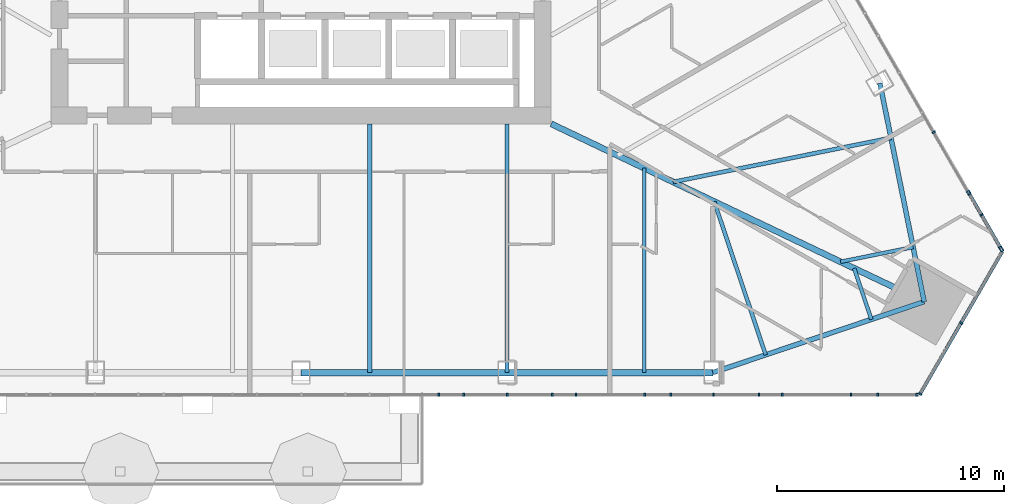
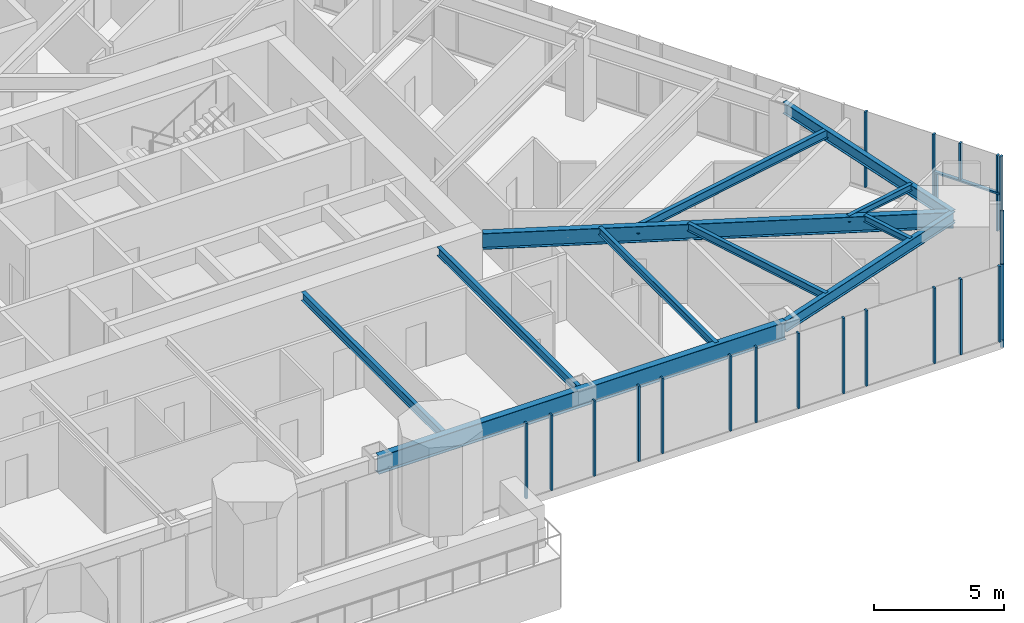
# One storey, part 6 of 32: 24 members, 11 beams, 3 elements without a shape of their own.
"""IFC4 building model written with IfcOpenShell, lengths in metres."""

from ifc_helpers import new_model, si_unit, direction, frame, origin, origin_2d, place, context, subcontext, project, spatial, rectangle, i_section, extrude, material, layer, layer_set, material_profile, profile_set, type_object, element, aggregate, save


model = new_model("IFC4")

# Units and contexts
model_context = context("Model", 3, precision=1e-05, world=origin(), true_north=direction((0.0, 1.0)))
body_context = subcontext(model_context, "Body", "Model", "MODEL_VIEW")
ifc_project = project(units=[si_unit("LENGTHUNIT", "METRE"), si_unit("AREAUNIT", "SQUARE_METRE"), si_unit("VOLUMEUNIT", "CUBIC_METRE"), si_unit("PLANEANGLEUNIT", "RADIAN"), si_unit("MASSUNIT", "GRAM", prefix="KILO")], contexts=[model_context])

# Site, building, storey
site_placement = place(None, origin())
site = spatial("IfcSite", under=ifc_project, at=site_placement, CompositionType="ELEMENT")
building_placement = place(site_placement, origin())
building = spatial("IfcBuilding", under=site, at=building_placement, Name="Firuza Gate Tower and Library", CompositionType="ELEMENT")
storey_placement = place(building_placement, frame((0.0, 0.0, 163.60009765625)))
storey = spatial("IfcBuildingStorey", under=building, at=storey_placement, Name="L37", CompositionType="ELEMENT", Elevation=163.60009765625)

# Curtain wall, members
ifc_material_1 = material(Name="Aluminium 6063-T6", Category="aluminium")
ifc_layer_1 = layer(ifc_material_1, 0.14990234375)
ifc_layer_set_1 = layer_set([ifc_layer_1], Name="Unitised curtain wall, hotel")
curtain_wall_type_1 = type_object("IfcCurtainWallType", Name="Unitised curtain wall, hotel", PredefinedType="NOTDEFINED", material=ifc_layer_set_1)
placement = place(storey_placement, origin())
curtain_wall_1 = element("IfcCurtainWall", 1, at=placement, inside=storey, type_object=curtain_wall_type_1, Name="CW2 L37 S face", PredefinedType="NOTDEFINED")
ifc_material_2 = material(Name="Aluminium 6063-T6", Category="aluminium")
ifc_material_profile_1 = material_profile(ifc_material_2, rectangle(XDim=0.14990234375, YDim=0.080078125, at=origin_2d()))
ifc_profile_set_1 = profile_set([ifc_material_profile_1], Name="Aluminium 6063-T6")
member_type_1 = type_object("IfcMemberType", Name="Curtain wall mullion 80x150", PredefinedType="MULLION", material=ifc_profile_set_1)
member_1_placement = place(storey_placement, frame((81.045654296875, 55.086181640625, 0.14990234375), z_axis=(0.0, 0.0, 1.0), x_axis=(0.0, 1.0, 0.0)))
member_1 = element("IfcMember", 2, at=member_1_placement, type_object=member_type_1, Name="Mullion", PredefinedType="MULLION", context=body_context, shape_type="SweptSolid", body=[
    extrude(rectangle(XDim=0.14990234375, YDim=0.080078125, at=origin_2d()), origin(), (0.0, 0.0, 1.0), 3.550048828125),
])
member_2_placement = place(storey_placement, frame((84.068359375, 55.086181640625, 0.14990234375), z_axis=(0.0, 0.0, 1.0), x_axis=(0.0, 1.0, 0.0)))
member_2 = element("IfcMember", 3, at=member_2_placement, type_object=member_type_1, Name="Mullion", PredefinedType="MULLION", context=body_context, shape_type="SweptSolid", body=[
    extrude(rectangle(XDim=0.14990234375, YDim=0.080078125, at=origin_2d()), origin(), (0.0, 0.0, 1.0), 3.550048828125),
])
member_3_placement = place(storey_placement, frame((87.09130859375, 55.086181640625, 0.14990234375), z_axis=(0.0, 0.0, 1.0), x_axis=(0.0, 1.0, 0.0)))
member_3 = element("IfcMember", 4, at=member_3_placement, type_object=member_type_1, Name="Mullion", PredefinedType="MULLION", context=body_context, shape_type="SweptSolid", body=[
    extrude(rectangle(XDim=0.14990234375, YDim=0.080078125, at=origin_2d()), origin(), (0.0, 0.0, 1.0), 3.550048828125),
])
member_4_placement = place(storey_placement, frame((90.114013671875, 55.086181640625, 0.14990234375), z_axis=(0.0, 0.0, 1.0), x_axis=(0.0, 1.0, 0.0)))
member_4 = element("IfcMember", 5, at=member_4_placement, type_object=member_type_1, Name="Mullion", PredefinedType="MULLION", context=body_context, shape_type="SweptSolid", body=[
    extrude(rectangle(XDim=0.14990234375, YDim=0.080078125, at=origin_2d()), origin(), (0.0, 0.0, 1.0), 3.550048828125),
])
member_5_placement = place(storey_placement, frame((93.13671875, 55.086181640625, 0.14990234375), z_axis=(0.0, 0.0, 1.0), x_axis=(0.0, 1.0, 0.0)))
member_5 = element("IfcMember", 6, at=member_5_placement, type_object=member_type_1, Name="Mullion", PredefinedType="MULLION", context=body_context, shape_type="SweptSolid", body=[
    extrude(rectangle(XDim=0.14990234375, YDim=0.080078125, at=origin_2d()), origin(), (0.0, 0.0, 1.0), 3.550048828125),
])
member_6_placement = place(storey_placement, frame((96.15966796875, 55.086181640625, 0.14990234375), z_axis=(0.0, 0.0, 1.0), x_axis=(0.0, 1.0, 0.0)))
member_6 = element("IfcMember", 7, at=member_6_placement, type_object=member_type_1, Name="Mullion", PredefinedType="MULLION", context=body_context, shape_type="SweptSolid", body=[
    extrude(rectangle(XDim=0.14990234375, YDim=0.080078125, at=origin_2d()), origin(), (0.0, 0.0, 1.0), 3.550048828125),
])
member_7_placement = place(storey_placement, frame((99.182373046875, 55.086181640625, 0.14990234375), z_axis=(0.0, 0.0, 1.0), x_axis=(0.0, 1.0, 0.0)))
member_7 = element("IfcMember", 8, at=member_7_placement, type_object=member_type_1, Name="Mullion", PredefinedType="MULLION", context=body_context, shape_type="SweptSolid", body=[
    extrude(rectangle(XDim=0.14990234375, YDim=0.080078125, at=origin_2d()), origin(), (0.0, 0.0, 1.0), 3.550048828125),
])
member_8_placement = place(storey_placement, frame((82.158447265625, 55.086181640625, 0.14990234375), z_axis=(0.0, 0.0, 1.0), x_axis=(0.0, 1.0, 0.0)))
member_8 = element("IfcMember", 9, at=member_8_placement, type_object=member_type_1, Name="Mullion", PredefinedType="MULLION", context=body_context, shape_type="SweptSolid", body=[
    extrude(rectangle(XDim=0.14990234375, YDim=0.080078125, at=origin_2d()), origin(), (0.0, 0.0, 1.0), 3.550048828125),
])
member_9_placement = place(storey_placement, frame((86.04150390625, 55.086181640625, 0.14990234375), z_axis=(0.0, 0.0, 1.0), x_axis=(0.0, 1.0, 0.0)))
member_9 = element("IfcMember", 10, at=member_9_placement, type_object=member_type_1, Name="Mullion", PredefinedType="MULLION", context=body_context, shape_type="SweptSolid", body=[
    extrude(rectangle(XDim=0.14990234375, YDim=0.080078125, at=origin_2d()), origin(), (0.0, 0.0, 1.0), 3.550048828125),
])
member_10_placement = place(storey_placement, frame((91.258544921875, 55.086181640625, 0.14990234375), z_axis=(0.0, 0.0, 1.0), x_axis=(0.0, 1.0, 0.0)))
member_10 = element("IfcMember", 11, at=member_10_placement, type_object=member_type_1, Name="Mullion", PredefinedType="MULLION", context=body_context, shape_type="SweptSolid", body=[
    extrude(rectangle(XDim=0.14990234375, YDim=0.080078125, at=origin_2d()), origin(), (0.0, 0.0, 1.0), 3.550048828125),
])
member_11_placement = place(storey_placement, frame((95.141357421875, 55.086181640625, 0.14990234375), z_axis=(0.0, 0.0, 1.0), x_axis=(0.0, 1.0, 0.0)))
member_11 = element("IfcMember", 12, at=member_11_placement, type_object=member_type_1, Name="Mullion", PredefinedType="MULLION", context=body_context, shape_type="SweptSolid", body=[
    extrude(rectangle(XDim=0.14990234375, YDim=0.080078125, at=origin_2d()), origin(), (0.0, 0.0, 1.0), 3.550048828125),
])
member_12_placement = place(storey_placement, frame((100.358642578125, 55.086181640625, 0.14990234375), z_axis=(0.0, 0.0, 1.0), x_axis=(0.0, 1.0, 0.0)))
member_12 = element("IfcMember", 13, at=member_12_placement, type_object=member_type_1, Name="Mullion", PredefinedType="MULLION", context=body_context, shape_type="SweptSolid", body=[
    extrude(rectangle(XDim=0.14990234375, YDim=0.080078125, at=origin_2d()), origin(), (0.0, 0.0, 1.0), 3.550048828125),
])
member_13_placement = place(storey_placement, frame((102.0771484375, 55.086181640625, 0.14990234375), z_axis=(0.0, 0.0, 1.0), x_axis=(0.0, 1.0, 0.0)))
member_13 = element("IfcMember", 14, at=member_13_placement, type_object=member_type_1, Name="Mullion", PredefinedType="MULLION", context=body_context, shape_type="SweptSolid", body=[
    extrude(rectangle(XDim=0.14990234375, YDim=0.080078125, at=origin_2d()), origin(), (0.0, 0.0, 1.0), 3.550048828125),
])
aggregate(curtain_wall_1, [member_1, member_2, member_3, member_4, member_5, member_6, member_7, member_8, member_9, member_10, member_11, member_12, member_13])

ifc_material_3 = material(Name="Aluminium 6063-T6", Category="aluminium")
ifc_layer_2 = layer(ifc_material_3, 0.14990234375)
ifc_layer_set_2 = layer_set([ifc_layer_2], Name="Corner curtain wall, chamfers")
curtain_wall_type_2 = type_object("IfcCurtainWallType", Name="Corner curtain wall, chamfers", PredefinedType="NOTDEFINED", material=ifc_layer_set_2)
curtain_wall_2 = element("IfcCurtainWall", 15, at=placement, inside=storey, type_object=curtain_wall_type_2, Name="CW4 L37 SE corner", PredefinedType="NOTDEFINED")
member_14_placement = place(storey_placement, frame((102.225341796875, 55.120849609375, 0.14990234375), z_axis=(0.0, 0.0, 1.0), x_axis=(-0.866025403784, 0.5, 0.0)))
member_14 = element("IfcMember", 16, at=member_14_placement, type_object=member_type_1, Name="Mullion", PredefinedType="MULLION", context=body_context, shape_type="SweptSolid", body=[
    extrude(rectangle(XDim=0.14990234375, YDim=0.080078125, at=origin_2d()), origin(), (0.0, 0.0, 1.0), 3.550048828125),
])
member_15_placement = place(storey_placement, frame((104.02685546875, 58.2412109375, 0.14990234375), z_axis=(0.0, 0.0, 1.0), x_axis=(-0.866025403784, 0.5, 0.0)))
member_15 = element("IfcMember", 17, at=member_15_placement, type_object=member_type_1, Name="Mullion", PredefinedType="MULLION", context=body_context, shape_type="SweptSolid", body=[
    extrude(rectangle(XDim=0.14990234375, YDim=0.080078125, at=origin_2d()), origin(), (0.0, 0.0, 1.0), 3.550048828125),
])

curtain_wall_3 = element("IfcCurtainWall", 18, at=placement, inside=storey, type_object=curtain_wall_type_1, Name="CW2 L37 E face", PredefinedType="NOTDEFINED")
member_16_placement = place(storey_placement, frame((105.82861328125, 61.43115234375, 0.14990234375), z_axis=(0.0, 0.0, 1.0), x_axis=(-0.866025403784, -0.5, 0.0)))
member_16 = element("IfcMember", 19, at=member_16_placement, type_object=member_type_1, Name="Mullion", PredefinedType="MULLION", context=body_context, shape_type="SweptSolid", body=[
    extrude(rectangle(XDim=0.14990234375, YDim=0.080078125, at=origin_2d()), origin(), (0.0, 0.0, 1.0), 3.550048828125),
])
member_17_placement = place(storey_placement, frame((104.337158203125, 64.014404296875, 0.14990234375), z_axis=(0.0, 0.0, 1.0), x_axis=(-0.866025403784, -0.5, 0.0)))
member_17 = element("IfcMember", 20, at=member_17_placement, type_object=member_type_1, Name="Mullion", PredefinedType="MULLION", context=body_context, shape_type="SweptSolid", body=[
    extrude(rectangle(XDim=0.14990234375, YDim=0.080078125, at=origin_2d()), origin(), (0.0, 0.0, 1.0), 3.550048828125),
])
member_18_placement = place(storey_placement, frame((102.82568359375, 66.632080078125, 0.14990234375), z_axis=(0.0, 0.0, 1.0), x_axis=(-0.866025403784, -0.5, 0.0)))
member_18 = element("IfcMember", 21, at=member_18_placement, type_object=member_type_1, Name="Mullion", PredefinedType="MULLION", context=body_context, shape_type="SweptSolid", body=[
    extrude(rectangle(XDim=0.14990234375, YDim=0.080078125, at=origin_2d()), origin(), (0.0, 0.0, 1.0), 3.550048828125),
])
member_19_placement = place(storey_placement, frame((105.751953125, 61.563720703125, 0.14990234375), z_axis=(0.0, 0.0, 1.0), x_axis=(-0.866025403784, -0.5, 0.0)))
member_19 = element("IfcMember", 22, at=member_19_placement, type_object=member_type_1, Name="Mullion", PredefinedType="MULLION", context=body_context, shape_type="SweptSolid", body=[
    extrude(rectangle(XDim=0.14990234375, YDim=0.080078125, at=origin_2d()), origin(), (0.0, 0.0, 1.0), 1.735107421875),
])
member_20_placement = place(storey_placement, frame((104.395751953125, 63.91259765625, 0.14990234375), z_axis=(0.0, 0.0, 1.0), x_axis=(-0.866025403784, -0.5, 0.0)))
member_20 = element("IfcMember", 23, at=member_20_placement, type_object=member_type_1, Name="Mullion", PredefinedType="MULLION", context=body_context, shape_type="SweptSolid", body=[
    extrude(rectangle(XDim=0.14990234375, YDim=0.080078125, at=origin_2d()), origin(), (0.0, 0.0, 1.0), 1.735107421875),
])
member_21_placement = place(storey_placement, frame((105.751953125, 61.563720703125, 1.96484375), z_axis=(0.0, 0.0, 1.0), x_axis=(-0.866025403784, -0.5, 0.0)))
member_21 = element("IfcMember", 24, at=member_21_placement, type_object=member_type_1, Name="Mullion", PredefinedType="MULLION", context=body_context, shape_type="SweptSolid", body=[
    extrude(rectangle(XDim=0.14990234375, YDim=0.080078125, at=origin_2d()), origin(), (0.0, 0.0, 1.0), 1.735107421875),
])
member_22_placement = place(storey_placement, frame((104.92529296875, 62.995849609375, 1.96484375), z_axis=(0.0, 0.0, 1.0), x_axis=(-0.866025403784, -0.5, 0.0)))
member_22 = element("IfcMember", 25, at=member_22_placement, type_object=member_type_1, Name="Mullion", PredefinedType="MULLION", context=body_context, shape_type="SweptSolid", body=[
    extrude(rectangle(XDim=0.14990234375, YDim=0.080078125, at=origin_2d()), origin(), (0.0, 0.0, 1.0), 1.735107421875),
])

# Member
ifc_material_4 = material(Name="Aluminium 6063-T6", Category="aluminium")
ifc_material_profile_2 = material_profile(ifc_material_4, rectangle(XDim=0.14990234375, YDim=0.35009765625, at=origin_2d()))
ifc_profile_set_2 = profile_set([ifc_material_profile_2], Name="Aluminium 6063-T6")
member_type_2 = type_object("IfcMemberType", Name="Curtain wall transom 350x150", PredefinedType="USERDEFINED", material=ifc_profile_set_2)
member_23_placement = place(storey_placement, frame((102.205322265625, 55.086181640625, -0.025146484375), z_axis=(0.500005719219, 0.866022101766, 0.0), x_axis=(-0.866022101766, 0.500005719219, 0.0)))
member_23 = element("IfcMember", 26, at=member_23_placement, type_object=member_type_2, Name="Transom", ObjectType="TRANSOM", PredefinedType="USERDEFINED", context=body_context, shape_type="SweptSolid", body=[
    extrude(rectangle(XDim=0.14990234375, YDim=0.35009765625, at=origin_2d()), origin(), (0.0, 0.0, 1.0), 7.28662109375),
])

aggregate(curtain_wall_2, [member_14, member_15, member_23])

ifc_material_5 = material(Name="Aluminium 6063-T6", Category="aluminium")
ifc_material_profile_3 = material_profile(ifc_material_5, rectangle(XDim=0.14990234375, YDim=0.080078125, at=origin_2d()))
ifc_profile_set_3 = profile_set([ifc_material_profile_3], Name="Aluminium 6063-T6")
member_type_3 = type_object("IfcMemberType", Name="Curtain wall transom 80x150", PredefinedType="USERDEFINED", material=ifc_profile_set_3)
member_24_placement = place(storey_placement, frame((105.82861328125, 61.43115234375, 1.9248046875), z_axis=(-0.500002522405, 0.866023947468, 0.0), x_axis=(-0.866023947468, -0.500002522405, 0.0)))
member_24 = element("IfcMember", 27, at=member_24_placement, type_object=member_type_3, Name="Transom", ObjectType="TRANSOM", PredefinedType="USERDEFINED", context=body_context, shape_type="SweptSolid", body=[
    extrude(rectangle(XDim=0.14990234375, YDim=0.080078125, at=origin_2d()), origin(), (0.0, 0.0, 1.0), 2.94287109375),
])

aggregate(curtain_wall_3, [member_16, member_17, member_18, member_19, member_20, member_21, member_22, member_24])

# Beams
ifc_material_6 = material(Name="Steel S355", Category="steel")
ifc_material_profile_4 = material_profile(ifc_material_6, i_section(OverallWidth=0.1650390625, OverallDepth=0.31005859375, WebThickness=0.005859375, FlangeThickness=0.009765625, at=origin_2d()))
ifc_profile_set_4 = profile_set([ifc_material_profile_4], Name="Steel S355")
beam_type_1 = type_object("IfcBeamType", Name="W310x39 Floor beam", PredefinedType="JOIST", material=ifc_profile_set_4)
beam_1_placement = place(storey_placement, frame((100.079345703125, 58.3994140625, 3.544921875), z_axis=(-0.318019732569, 0.948084094212, 0.0), x_axis=(-0.948084094212, -0.318019732569, 0.0)))
element("IfcBeam", 28, at=beam_1_placement, inside=storey, type_object=beam_type_1, Name="Floor beam L37 s31", PredefinedType="JOIST", context=body_context, shape_type="SweptSolid", body=[
    extrude(i_section(OverallWidth=0.1650390625, OverallDepth=0.31005859375, WebThickness=0.005859375, FlangeThickness=0.009765625, at=origin_2d()), origin(), (0.0, 0.0, 1.0), 2.369873046875),
])
beam_2_placement = place(storey_placement, frame((101.916259765625, 61.5810546875, 3.544921875), z_axis=(-0.98006147131, -0.198694520443, 0.0), x_axis=(0.198694520443, -0.98006147131, 0.0)))
element("IfcBeam", 29, at=beam_2_placement, inside=storey, type_object=beam_type_1, Name="Floor beam L37 s40", PredefinedType="JOIST", context=body_context, shape_type="SweptSolid", body=[
    extrude(i_section(OverallWidth=0.1650390625, OverallDepth=0.31005859375, WebThickness=0.005859375, FlangeThickness=0.009765625, at=origin_2d()), origin(), (0.0, 0.0, 1.0), 3.258544921875),
])
ifc_material_7 = material(Name="Steel S355", Category="steel")
ifc_material_profile_5 = material_profile(ifc_material_7, i_section(OverallWidth=0.1708984375, OverallDepth=0.35498046875, WebThickness=0.007080078125, FlangeThickness=0.01171875, at=origin_2d()))
ifc_profile_set_5 = profile_set([ifc_material_profile_5], Name="Steel S355")
beam_type_2 = type_object("IfcBeamType", Name="W360x51 Floor beam", PredefinedType="JOIST", material=ifc_profile_set_5)
beam_3_placement = place(storey_placement, frame((90.08984375, 56.06103515625, 3.5224609375), z_axis=(0.0, 1.0, 0.0), x_axis=(-1.0, 0.0, 0.0)))
element("IfcBeam", 30, at=beam_3_placement, inside=storey, type_object=beam_type_2, Name="Floor beam L37 s25", PredefinedType="JOIST", context=body_context, shape_type="SweptSolid", body=[
    extrude(i_section(OverallWidth=0.1708984375, OverallDepth=0.35498046875, WebThickness=0.007080078125, FlangeThickness=0.01171875, at=origin_2d()), origin(), (0.0, 0.0, 1.0), 8.98876953125),
])
beam_4_placement = place(storey_placement, frame((95.431640625, 56.840576171875, 3.5224609375), z_axis=(-0.31799921866, 0.948090975029, 0.0), x_axis=(-0.948090975029, -0.31799921866, 0.0)))
element("IfcBeam", 31, at=beam_4_placement, inside=storey, type_object=beam_type_2, Name="Floor beam L37 s30", PredefinedType="JOIST", context=body_context, shape_type="SweptSolid", body=[
    extrude(i_section(OverallWidth=0.1708984375, OverallDepth=0.35498046875, WebThickness=0.007080078125, FlangeThickness=0.01171875, at=origin_2d()), origin(), (0.0, 0.0, 1.0), 7.109375),
])
ifc_material_8 = material(Name="Steel S355", Category="steel")
ifc_material_profile_6 = material_profile(ifc_material_8, i_section(OverallWidth=0.177978515625, OverallDepth=0.406982421875, WebThickness=0.0078125, FlangeThickness=0.0126953125, at=origin_2d()))
ifc_profile_set_6 = profile_set([ifc_material_profile_6], Name="Steel S355")
beam_type_3 = type_object("IfcBeamType", Name="W410x60 Floor beam", PredefinedType="JOIST", material=ifc_profile_set_6)
for number, where, z_axis, x_axis, name in (
    (32, (78.01806640625, 56.06103515625, 3.496337890625), (0.0, 1.0, 0.0), (-1.0, 0.0, 0.0), "Floor beam L37 s23"),
    (33, (84.053955078125, 56.06103515625, 3.496337890625), (0.0, 1.0, 0.0), (-1.0, 0.0, 0.0), "Floor beam L37 s24"),
):
    element("IfcBeam", number, at=place(storey_placement, frame(where, z_axis=z_axis, x_axis=x_axis)), inside=storey, type_object=beam_type_3, Name=name, PredefinedType="JOIST", context=body_context, shape_type="SweptSolid", body=[
        extrude(i_section(OverallWidth=0.177978515625, OverallDepth=0.406982421875, WebThickness=0.0078125, FlangeThickness=0.0126953125, at=origin_2d()), origin(), (0.0, 0.0, 1.0), 10.93896484375),
    ])
beam_5_placement = place(storey_placement, frame((100.9423828125, 66.38525390625, 3.496337890625), z_axis=(-0.980070211277, -0.19865140565, 0.0), x_axis=(0.19865140565, -0.980070211277, 0.0)))
element("IfcBeam", 34, at=beam_5_placement, inside=storey, type_object=beam_type_3, Name="Floor beam L37 s41", PredefinedType="JOIST", context=body_context, shape_type="SweptSolid", body=[
    extrude(i_section(OverallWidth=0.177978515625, OverallDepth=0.406982421875, WebThickness=0.0078125, FlangeThickness=0.0126953125, at=origin_2d()), origin(), (0.0, 0.0, 1.0), 9.775390625),
])
ifc_material_9 = material(Name="Steel S355", Category="steel")
ifc_material_profile_7 = material_profile(ifc_material_9, i_section(OverallWidth=0.212890625, OverallDepth=0.5390625, WebThickness=0.01171875, FlangeThickness=0.018798828125, at=origin_2d()))
ifc_profile_set_7 = profile_set([ifc_material_profile_7], Name="Steel S355")
beam_type_4 = type_object("IfcBeamType", Name="W530x109 Edge beam", PredefinedType="SPANDREL", material=ifc_profile_set_7)
for number, where, z_axis, x_axis, name in (
    (35, (93.10791015625, 56.06103515625, 3.430419921875), (0.94809146996, 0.317997743056, 0.0), (-0.317997743056, 0.94809146996, 0.0), "Edge beam L37 e30"),
    (36, (102.403076171875, 59.1787109375, 3.430419921875), (-0.198639155486, 0.980072694196, 0.0), (-0.980072694196, -0.198639155486, 0.0), "Edge beam L37 e40"),
):
    element("IfcBeam", number, at=place(storey_placement, frame(where, z_axis=z_axis, x_axis=x_axis)), inside=storey, type_object=beam_type_4, Name=name, PredefinedType="SPANDREL", context=body_context, shape_type="SweptSolid", body=[
        extrude(i_section(OverallWidth=0.212890625, OverallDepth=0.5390625, WebThickness=0.01171875, FlangeThickness=0.018798828125, at=origin_2d()), origin(), (0.0, 0.0, 1.0), 9.80419921875),
    ])
ifc_material_10 = material(Name="Steel S355", Category="steel")
ifc_material_profile_8 = material_profile(ifc_material_10, i_section(OverallWidth=0.264892578125, OverallDepth=0.7529296875, WebThickness=0.01318359375, FlangeThickness=0.01708984375, at=origin_2d()))
ifc_profile_set_8 = profile_set([ifc_material_profile_8], Name="Steel S355")
beam_type_5 = type_object("IfcBeamType", Name="W760x147 Girder", PredefinedType="BEAM", material=ifc_profile_set_8)
beam_6_placement = place(storey_placement, frame((102.403076171875, 59.1787109375, 3.323486328125), z_axis=(-0.902640378669, 0.430395570141, 0.0), x_axis=(-0.430395570141, -0.902640378669, 0.0)))
element("IfcBeam", 37, at=beam_6_placement, inside=storey, type_object=beam_type_5, Name="Girder L37 gSE", PredefinedType="BEAM", context=body_context, shape_type="SweptSolid", body=[
    extrude(i_section(OverallWidth=0.264892578125, OverallDepth=0.7529296875, WebThickness=0.01318359375, FlangeThickness=0.01708984375, at=origin_2d()), origin(), (0.0, 0.0, 1.0), 18.17236328125),
])
ifc_material_11 = material(Name="Steel S355", Category="steel")
ifc_material_profile_9 = material_profile(ifc_material_11, i_section(OverallWidth=0.2919921875, OverallDepth=0.8349609375, WebThickness=0.013916015625, FlangeThickness=0.018798828125, at=origin_2d()))
ifc_profile_set_9 = profile_set([ifc_material_profile_9], Name="Steel S355")
beam_type_6 = type_object("IfcBeamType", Name="W840x176 Edge beam", PredefinedType="SPANDREL", material=ifc_profile_set_9)
beam_7_placement = place(storey_placement, frame((75.0, 56.06103515625, 3.282470703125), z_axis=(1.0, 0.0, 0.0), x_axis=(0.0, 1.0, 0.0)))
element("IfcBeam", 38, at=beam_7_placement, inside=storey, type_object=beam_type_6, Name="Edge beam L37 e22", PredefinedType="SPANDREL", context=body_context, shape_type="SweptSolid", body=[
    extrude(i_section(OverallWidth=0.2919921875, OverallDepth=0.8349609375, WebThickness=0.013916015625, FlangeThickness=0.018798828125, at=origin_2d()), origin(), (0.0, 0.0, 1.0), 18.10791015625),
])

save(model, "model.ifc")
